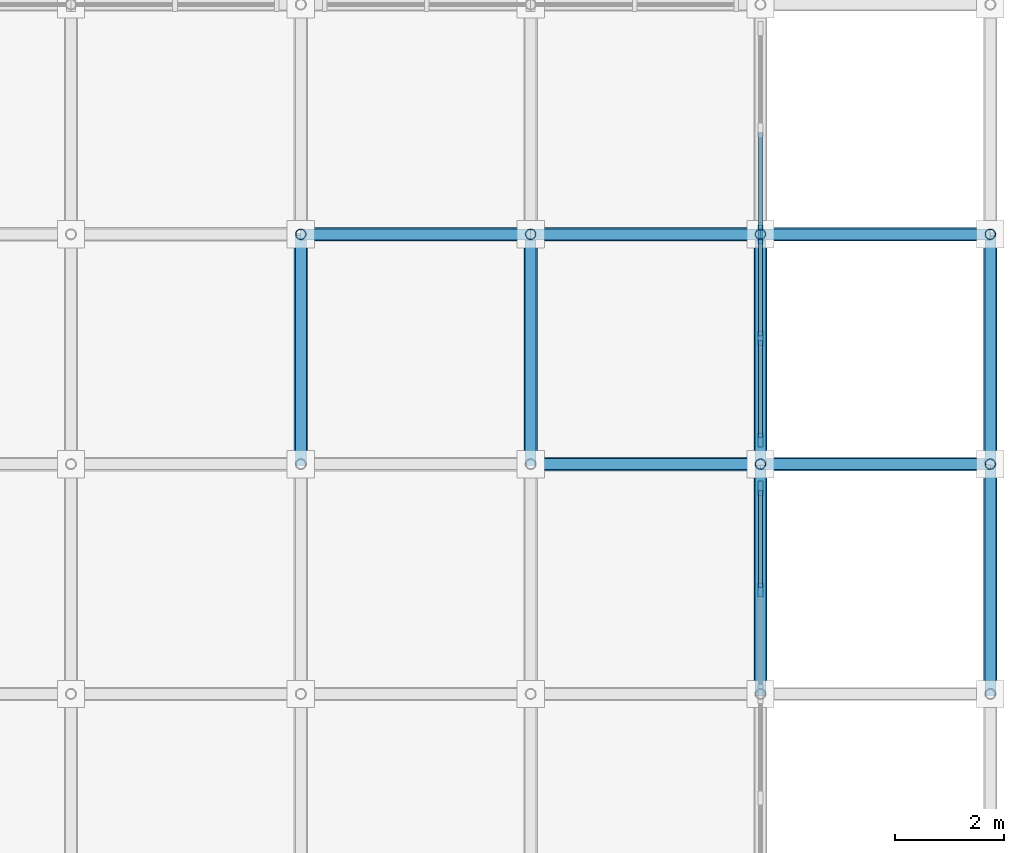
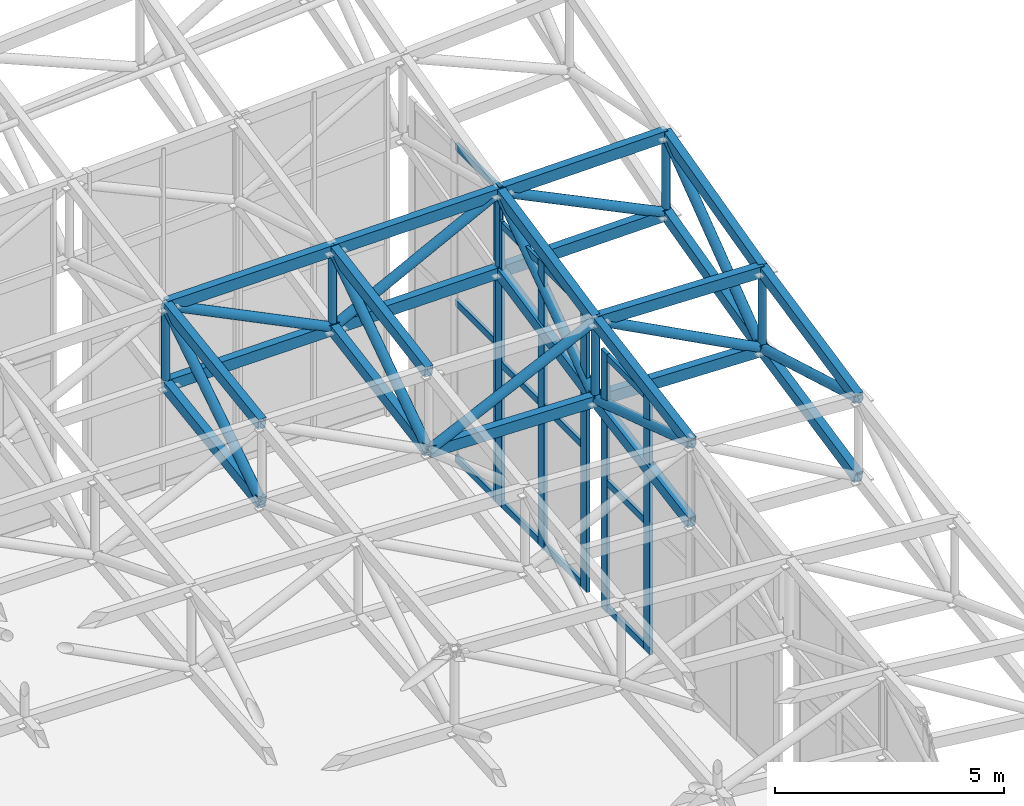
# One storey, part 52 of 123: 56 members, 3 elements without a shape of their own.
"""IFC4 building model written with IfcOpenShell, lengths in metres."""

import ifcopenshell
import ifcopenshell.guid

model = None  # the IFC model being written
_history = None  # IfcOwnerHistory: only IFC2X3 demands one
_inside = {}  # id of a spatial element -> (the spatial element, [elements in it])
_under = {}  # id of a project, library or spatial element -> (it, [spatial elements below it])
_declared = {}  # id of a project -> (the project, [libraries it declares])
_typed = {}  # id of a type object -> (the type object, [elements of that type])
_made_of = {}  # id of a material, layer set ... -> (it, [elements and type objects made of it])


def new_model(schema):
    """Start an empty IFC model of exactly this schema.

    Asked for "IFC4X3", IfcOpenShell would pick the latest addendum, in which some entities
    have other attributes; the version numbers below select the first issue.
    IFC2X3 requires an IfcOwnerHistory on every rooted entity: one is made here for all.
    """
    global model, _history
    if schema == "IFC4X3":
        model = ifcopenshell.file(schema_version=(4, 3, 0, 0))
    else:
        model = ifcopenshell.file(schema=schema)
    _inside.clear()
    _under.clear()
    _declared.clear()
    _typed.clear()
    _made_of.clear()
    _history = None
    if model.schema == "IFC2X3":
        org = make("IfcOrganization", Name="unknown")
        user = make(
            "IfcPersonAndOrganization",
            ThePerson=make("IfcPerson", FamilyName="unknown"),
            TheOrganization=org,
        )
        app = make(
            "IfcApplication",
            ApplicationDeveloper=org,
            Version="unknown",
            ApplicationFullName="unknown",
            ApplicationIdentifier="unknown",
        )
        _history = make(
            "IfcOwnerHistory",
            OwningUser=user,
            OwningApplication=app,
            ChangeAction="ADDED",
            CreationDate=0,
        )
    return model


def make(cls, **values):
    """One entity of the class cls with the attributes given. An attribute that is None is left unset."""
    return model.create_entity(
        cls, **{name: value for name, value in values.items() if value is not None}
    )


def rooted(cls, **values):
    """An entity with a GlobalId (a new one), such as an element, a storey or a relation."""
    return make(cls, GlobalId=ifcopenshell.guid.new(), OwnerHistory=_history, **values)


def si_unit(unit_type, name, prefix=None):
    """IfcSIUnit, for example si_unit("LENGTHUNIT", "METRE", prefix="MILLI")."""
    return make("IfcSIUnit", UnitType=unit_type, Prefix=prefix, Name=name)


def assignment(units):
    """IfcUnitAssignment: the units of a project."""
    return None if units is None else make("IfcUnitAssignment", Units=units)


def point(xyz):
    """IfcCartesianPoint."""
    return None if xyz is None else make("IfcCartesianPoint", Coordinates=xyz)


def direction(xyz):
    """IfcDirection."""
    return None if xyz is None else make("IfcDirection", DirectionRatios=xyz)


def frame(location, z_axis=None, x_axis=None):
    """IfcAxis2Placement3D, a coordinate frame: its origin and axes. An axis left out is left unset."""
    return make(
        "IfcAxis2Placement3D",
        Location=point(location),
        Axis=direction(z_axis),
        RefDirection=direction(x_axis),
    )


def frame_2d(location, x_axis=None):
    """IfcAxis2Placement2D, a coordinate frame in the plane: its origin and x axis."""
    return make(
        "IfcAxis2Placement2D", Location=point(location), RefDirection=direction(x_axis)
    )


def origin():
    """The frame at (0, 0, 0) with its axes left unset."""
    return frame((0.0, 0.0, 0.0))


def origin_2d():
    """The frame at (0, 0) in the plane with its x axis left unset."""
    return frame_2d((0.0, 0.0))


def place(relative_to, where):
    """IfcLocalPlacement: puts the frame where relative to a parent placement (None: the world)."""
    return make(
        "IfcLocalPlacement", PlacementRelTo=relative_to, RelativePlacement=where
    )


def context(
    kind, dimensions, precision=None, world=None, true_north=None, identifier=None
):
    """IfcGeometricRepresentationContext, for example the 3D "Model" context."""
    return make(
        "IfcGeometricRepresentationContext",
        ContextIdentifier=identifier,
        ContextType=kind,
        CoordinateSpaceDimension=dimensions,
        Precision=precision,
        WorldCoordinateSystem=world,
        TrueNorth=true_north,
    )


def subcontext(parent, identifier, kind, view, scale=None):
    """IfcGeometricRepresentationSubContext, for example "Body" below "Model"."""
    return make(
        "IfcGeometricRepresentationSubContext",
        ContextIdentifier=identifier,
        ContextType=kind,
        ParentContext=parent,
        TargetScale=scale,
        TargetView=view,
    )


def project(units=None, contexts=None):
    """IfcProject with its units and contexts."""
    return rooted(
        "IfcProject",
        Name="project",
        RepresentationContexts=contexts,
        UnitsInContext=assignment(units),
    )


def spatial(cls, under=None, at=None, **own):
    """A site, building, storey or space (cls), placed at a placement, below another one or the project."""
    s = rooted(cls, ObjectPlacement=at, **own)
    if under is not None:
        _under.setdefault(under.id(), (under, []))[1].append(s)
    return s


def profile(cls, at=None, kind="AREA", **sizes):
    """A parametric profile (cls). Its sizes go by their IFC names, for example OverallWidth=200.0."""
    return make(cls, ProfileType=kind, Position=at, **sizes)


def rectangle(**sizes):
    """IfcRectangleProfileDef."""
    return profile("IfcRectangleProfileDef", **sizes)


def hollow_rectangle(**sizes):
    """IfcRectangleHollowProfileDef."""
    return profile("IfcRectangleHollowProfileDef", **sizes)


def hollow_circle(**sizes):
    """IfcCircleHollowProfileDef."""
    return profile("IfcCircleHollowProfileDef", **sizes)


def extrude(swept, where, along, depth):
    """IfcExtrudedAreaSolid: the profile swept, set in the frame where, extruded along a direction by depth."""
    return make(
        "IfcExtrudedAreaSolid",
        SweptArea=swept,
        Position=where,
        ExtrudedDirection=direction(along),
        Depth=depth,
    )


def shape(context_of_items, identifier, shape_type, items):
    """IfcShapeRepresentation: the items that make up one representation, for example the "Body"."""
    return make(
        "IfcShapeRepresentation",
        ContextOfItems=context_of_items,
        RepresentationIdentifier=identifier,
        RepresentationType=shape_type,
        Items=items,
    )


def material(Name=None, Category=None):
    """IfcMaterial."""
    return make("IfcMaterial", Name=Name, Category=Category)


def material_profile(
    of_material, cross_section, Name=None, Category=None, Priority=None
):
    """IfcMaterialProfile: a cross section and its material."""
    return make(
        "IfcMaterialProfile",
        Name=Name,
        Material=of_material,
        Profile=cross_section,
        Priority=Priority,
        Category=Category,
    )


def profile_set(profiles, Name=None, composite=None):
    """IfcMaterialProfileSet."""
    return make(
        "IfcMaterialProfileSet",
        Name=Name,
        MaterialProfiles=profiles,
        CompositeProfile=composite,
    )


def made_of(thing, what):
    """Note that an element or type object is made of a material, layer set ...; save() writes the relation."""
    if what is not None:
        _made_of.setdefault(what.id(), (what, []))[1].append(thing)
    return thing


def type_object(cls, material=None, **own):
    """A type object (cls), such as IfcWallType, which elements share."""
    return made_of(rooted(cls, **own), material)


def element(
    cls,
    number,
    at=None,
    inside=None,
    cuts=None,
    type_object=None,
    material=None,
    context=None,
    identifier="Body",
    shape_type=None,
    held_by="IfcProductDefinitionShape",
    body=None,
    shapes=None,
    **own,
):
    """One element of the class cls, such as IfcWall. Its Tag is "e" and its number.

    at: its placement. inside: the storey or other place that contains it. cuts: it is an
    opening in that element (IfcRelVoidsElement). A single representation is given by context,
    identifier, shape_type and body (its items); several are given by shapes. held_by: the class
    of the entity that holds the representations. save() writes the other relations.
    """
    e = rooted(cls, Tag="e%d" % number, ObjectPlacement=at, **own)
    if body is not None:
        shapes = [shape(context, identifier, shape_type, body)]
    if shapes is not None:
        e.Representation = make(held_by, Representations=shapes)
    if inside is not None:
        _inside.setdefault(inside.id(), (inside, []))[1].append(e)
    if cuts is not None:
        rooted(
            "IfcRelVoidsElement", RelatingBuildingElement=cuts, RelatedOpeningElement=e
        )
    if type_object is not None:
        _typed.setdefault(type_object.id(), (type_object, []))[1].append(e)
    return made_of(e, material)


def aggregate(whole, parts):
    """IfcRelAggregates: a whole, such as a stair, and the parts it consists of."""
    return rooted("IfcRelAggregates", RelatingObject=whole, RelatedObjects=parts)


def save(model, path):
    """Write the relations noted so far, then the file.

    IfcRelAggregates (storeys below a building ...), IfcRelContainedInSpatialStructure (elements
    in a storey), IfcRelDefinesByType, IfcRelAssociatesMaterial and IfcRelDeclares: one each for
    every whole, place, type object, material and project.
    """
    for whole, parts in _under.values():
        aggregate(whole, parts)
    for where, things in _inside.values():
        rooted(
            "IfcRelContainedInSpatialStructure",
            RelatedElements=things,
            RelatingStructure=where,
        )
    for kind, things in _typed.values():
        rooted("IfcRelDefinesByType", RelatedObjects=things, RelatingType=kind)
    for what, things in _made_of.values():
        rooted("IfcRelAssociatesMaterial", RelatedObjects=things, RelatingMaterial=what)
    for by, libraries in _declared.values():
        rooted("IfcRelDeclares", RelatingContext=by, RelatedDefinitions=libraries)
    model.write(path)


model = new_model("IFC4")

# Units and contexts
model_context = context("Model", 3, precision=1e-05, world=origin(), true_north=direction((0.0, 1.0)))
body_context = subcontext(model_context, "Body", "Model", "MODEL_VIEW")
ifc_project = project(units=[si_unit("LENGTHUNIT", "METRE"), si_unit("AREAUNIT", "SQUARE_METRE"), si_unit("VOLUMEUNIT", "CUBIC_METRE"), si_unit("PLANEANGLEUNIT", "RADIAN"), si_unit("MASSUNIT", "GRAM", prefix="KILO")], contexts=[model_context])

# Site, building, storey
site_placement = place(None, origin())
site = spatial("IfcSite", under=ifc_project, at=site_placement, CompositionType="ELEMENT")
building_placement = place(site_placement, origin())
building = spatial("IfcBuilding", under=site, at=building_placement, Name="Cumbredor Promenade Congress Hotel", CompositionType="ELEMENT")
storey_placement = place(building_placement, frame((0.0, 0.0, 11.760009765625)))
storey = spatial("IfcBuildingStorey", under=building, at=storey_placement, Name="L03", CompositionType="ELEMENT", Elevation=11.760009765625)

# Members
ifc_material_1 = material(Name="Steel ASTM A500 Grade C", Category="steel")
ifc_material_profile_1 = material_profile(ifc_material_1, hollow_rectangle(XDim=0.199951171875, YDim=0.300048828125, WallThickness=0.012451171875, at=origin_2d()), Name="HSS 300x200x12.5")
ifc_profile_set_1 = profile_set([ifc_material_profile_1], Name="Steel ASTM A500 Grade C")
member_type_1 = type_object("IfcMemberType", Name="Ballroom Roof Space Frame Chord", PredefinedType="CHORD", material=ifc_profile_set_1)
member_1_placement = place(storey_placement, frame((180.60009765625, 58.800048828125, 5.42431640625), z_axis=(0.999711945909, 0.0, -0.024000525121), x_axis=(0.0, 1.0, 0.0)))
element("IfcMember", 1, at=member_1_placement, inside=storey, type_object=member_type_1, Name="Grand Ballroom Pavilion X Bottom Chord 11.15", PredefinedType="CHORD", context=body_context, shape_type="SweptSolid", body=[
    extrude(hollow_rectangle(XDim=0.199951171875, YDim=0.300048828125, WallThickness=0.012451171875, at=origin_2d()), origin(), (0.0, 0.0, 1.0), 4.201171875),
])
for number, where, z_axis, x_axis, name in (
    (2, (184.800048828125, 58.800048828125, 7.423583984375), (0.999592939117, 0.0, -0.028529915312), (0.0, 1.0, 0.0), "Grand Ballroom Pavilion X Top Chord 12.15"),
    (3, (184.800048828125, 58.800048828125, 5.323486328125), (0.999592939117, 0.0, -0.028529915312), (0.0, 1.0, 0.0), "Grand Ballroom Pavilion X Bottom Chord 12.15"),
):
    element("IfcMember", number, at=place(storey_placement, frame(where, z_axis=z_axis, x_axis=x_axis)), inside=storey, type_object=member_type_1, Name=name, PredefinedType="CHORD", context=body_context, shape_type="SweptSolid", body=[
        extrude(hollow_rectangle(XDim=0.199951171875, YDim=0.300048828125, WallThickness=0.012451171875, at=origin_2d()), origin(), (0.0, 0.0, 1.0), 4.20166015625),
    ])
for number, where, z_axis, x_axis, name in (
    (4, (176.39990234375, 63.0, 8.215576171875), (0.999959938567, 0.0, 0.008951048043), (0.0, 1.0, 0.0), "Grand Ballroom Pavilion X Top Chord 10.16"),
    (5, (176.39990234375, 63.0, 6.115478515625), (0.999959938567, 0.0, 0.008951048043), (0.0, 1.0, 0.0), "Grand Ballroom Pavilion X Bottom Chord 10.16"),
):
    element("IfcMember", number, at=place(storey_placement, frame(where, z_axis=z_axis, x_axis=x_axis)), inside=storey, type_object=member_type_1, Name=name, PredefinedType="CHORD", context=body_context, shape_type="SweptSolid", body=[
        extrude(hollow_rectangle(XDim=0.199951171875, YDim=0.300048828125, WallThickness=0.012451171875, at=origin_2d()), origin(), (0.0, 0.0, 1.0), 4.200439453125),
    ])
for number, where, z_axis, x_axis, name in (
    (6, (180.60009765625, 63.0, 8.253173828125), (0.999934438125, 0.0, 0.011450740238), (0.0, 1.0, 0.0), "Grand Ballroom Pavilion X Top Chord 11.16"),
    (7, (180.60009765625, 63.0, 6.153076171875), (0.999934438125, 0.0, 0.011450740238), (0.0, 1.0, 0.0), "Grand Ballroom Pavilion X Bottom Chord 11.16"),
):
    element("IfcMember", number, at=place(storey_placement, frame(where, z_axis=z_axis, x_axis=x_axis)), inside=storey, type_object=member_type_1, Name=name, PredefinedType="CHORD", context=body_context, shape_type="SweptSolid", body=[
        extrude(hollow_rectangle(XDim=0.199951171875, YDim=0.300048828125, WallThickness=0.012451171875, at=origin_2d()), origin(), (0.0, 0.0, 1.0), 4.2001953125),
    ])
for number, where, z_axis, x_axis, name in (
    (8, (184.800048828125, 63.0, 8.30126953125), (0.99988929444, 0.0, 0.014879477962), (0.0, 1.0, 0.0), "Grand Ballroom Pavilion X Top Chord 12.16"),
    (9, (184.800048828125, 63.0, 6.201171875), (0.999888428009, 0.0, 0.014937587979), (0.0, 1.0, 0.0), "Grand Ballroom Pavilion X Bottom Chord 12.16"),
):
    element("IfcMember", number, at=place(storey_placement, frame(where, z_axis=z_axis, x_axis=x_axis)), inside=storey, type_object=member_type_1, Name=name, PredefinedType="CHORD", context=body_context, shape_type="SweptSolid", body=[
        extrude(hollow_rectangle(XDim=0.199951171875, YDim=0.300048828125, WallThickness=0.012451171875, at=origin_2d()), origin(), (0.0, 0.0, 1.0), 4.200439453125),
    ])
for number, where, z_axis, x_axis, name in (
    (10, (176.39990234375, 58.800048828125, 7.602294921875), (0.0, 0.989506441374, 0.144488762468), (-1.0, 0.0, 0.0), "Grand Ballroom Pavilion Y Top Chord 10.15"),
    (11, (176.39990234375, 58.800048828125, 5.502197265625), (0.0, 0.989506441374, 0.144488762468), (-1.0, 0.0, 0.0), "Grand Ballroom Pavilion Y Bottom Chord 10.15"),
):
    element("IfcMember", number, at=place(storey_placement, frame(where, z_axis=z_axis, x_axis=x_axis)), inside=storey, type_object=member_type_1, Name=name, PredefinedType="CHORD", context=body_context, shape_type="SweptSolid", body=[
        extrude(hollow_rectangle(XDim=0.199951171875, YDim=0.300048828125, WallThickness=0.012451171875, at=origin_2d()), origin(), (0.0, 0.0, 1.0), 4.244384765625),
    ])
for number, where, z_axis, x_axis, name in (
    (12, (180.60009765625, 58.800048828125, 7.524169921875), (0.0, 0.985268028825, 0.17101728385), (-1.0, 0.0, 0.0), "Grand Ballroom Pavilion Y Top Chord 11.15"),
    (13, (180.60009765625, 58.800048828125, 5.42431640625), (0.0, 0.985277677735, 0.170961685057), (-1.0, 0.0, 0.0), "Grand Ballroom Pavilion Y Bottom Chord 11.15"),
):
    element("IfcMember", number, at=place(storey_placement, frame(where, z_axis=z_axis, x_axis=x_axis)), inside=storey, type_object=member_type_1, Name=name, PredefinedType="CHORD", context=body_context, shape_type="SweptSolid", body=[
        extrude(hollow_rectangle(XDim=0.199951171875, YDim=0.300048828125, WallThickness=0.012451171875, at=origin_2d()), origin(), (0.0, 0.0, 1.0), 4.2626953125),
    ])
for number, where, z_axis, x_axis, name in (
    (14, (184.800048828125, 54.60009765625, 6.69189453125), (0.0, 0.985161696288, 0.171628762645), (-1.0, 0.0, 0.0), "Grand Ballroom Pavilion Y Top Chord 12.14"),
    (15, (184.800048828125, 54.60009765625, 4.592041015625), (0.0, 0.985171377614, 0.171573181848), (-1.0, 0.0, 0.0), "Grand Ballroom Pavilion Y Bottom Chord 12.14"),
):
    element("IfcMember", number, at=place(storey_placement, frame(where, z_axis=z_axis, x_axis=x_axis)), inside=storey, type_object=member_type_1, Name=name, PredefinedType="CHORD", context=body_context, shape_type="SweptSolid", body=[
        extrude(hollow_rectangle(XDim=0.199951171875, YDim=0.300048828125, WallThickness=0.012451171875, at=origin_2d()), origin(), (0.0, 0.0, 1.0), 4.26318359375),
    ])
for number, where, z_axis, x_axis, name in (
    (16, (184.800048828125, 58.800048828125, 7.423583984375), (0.0, 0.978854788944, 0.204556354488), (-1.0, 0.0, 0.0), "Grand Ballroom Pavilion Y Top Chord 12.15"),
    (17, (184.800048828125, 58.800048828125, 5.323486328125), (0.0, 0.978854788944, 0.204556354488), (-1.0, 0.0, 0.0), "Grand Ballroom Pavilion Y Bottom Chord 12.15"),
):
    element("IfcMember", number, at=place(storey_placement, frame(where, z_axis=z_axis, x_axis=x_axis)), inside=storey, type_object=member_type_1, Name=name, PredefinedType="CHORD", context=body_context, shape_type="SweptSolid", body=[
        extrude(hollow_rectangle(XDim=0.199951171875, YDim=0.300048828125, WallThickness=0.012451171875, at=origin_2d()), origin(), (0.0, 0.0, 1.0), 4.290771484375),
    ])
for number, where, z_axis, x_axis, name in (
    (18, (189.0, 54.60009765625, 6.419677734375), (0.0, 0.978557630203, 0.205973212752), (-1.0, 0.0, 0.0), "Grand Ballroom Pavilion Y Top Chord 13.14"),
    (19, (189.0, 54.60009765625, 4.31982421875), (0.0, 0.978569093962, 0.205918742088), (-1.0, 0.0, 0.0), "Grand Ballroom Pavilion Y Bottom Chord 13.14"),
):
    element("IfcMember", number, at=place(storey_placement, frame(where, z_axis=z_axis, x_axis=x_axis)), inside=storey, type_object=member_type_1, Name=name, PredefinedType="CHORD", context=body_context, shape_type="SweptSolid", body=[
        extrude(hollow_rectangle(XDim=0.199951171875, YDim=0.300048828125, WallThickness=0.012451171875, at=origin_2d()), origin(), (0.0, 0.0, 1.0), 4.2919921875),
    ])
member_2_placement = place(storey_placement, frame((189.0, 58.800048828125, 7.3037109375), z_axis=(0.0, 0.969592990893, 0.24472317424), x_axis=(-1.0, 0.0, 0.0)))
element("IfcMember", 20, at=member_2_placement, inside=storey, type_object=member_type_1, Name="Grand Ballroom Pavilion Y Top Chord 13.15", PredefinedType="CHORD", context=body_context, shape_type="SweptSolid", body=[
    extrude(hollow_rectangle(XDim=0.199951171875, YDim=0.300048828125, WallThickness=0.012451171875, at=origin_2d()), origin(), (0.0, 0.0, 1.0), 4.33154296875),
])
member_3_placement = place(storey_placement, frame((189.0, 58.800048828125, 5.20361328125), z_axis=(0.0, 0.969579615984, 0.24477615952), x_axis=(-1.0, 0.0, 0.0)))
element("IfcMember", 21, at=member_3_placement, inside=storey, type_object=member_type_1, Name="Grand Ballroom Pavilion Y Bottom Chord 13.15", PredefinedType="CHORD", context=body_context, shape_type="SweptSolid", body=[
    extrude(hollow_rectangle(XDim=0.199951171875, YDim=0.300048828125, WallThickness=0.012451171875, at=origin_2d()), origin(), (0.0, 0.0, 1.0), 4.331787109375),
])

# Curtain wall, members
ifc_material_2 = material(Name="Thermally broken anodized aluminium and low-E glass", Category="aluminium")
curtain_wall_type = type_object("IfcCurtainWallType", Name="Stepped Pavilion Clerestory Curtain Wall CW-06", PredefinedType="NOTDEFINED", material=ifc_material_2)
curtain_wall_1_placement = place(storey_placement, origin())
curtain_wall_1 = element("IfcCurtainWall", 22, at=curtain_wall_1_placement, inside=storey, type_object=curtain_wall_type, Name="Grand Ballroom Pavilion E Glazed Clerestory 12", PredefinedType="NOTDEFINED")
ifc_material_3 = material(Name="Thermally broken anodized aluminium", Category="aluminium")
ifc_material_profile_2 = material_profile(ifc_material_3, rectangle(XDim=0.0849609375, YDim=0.260009765625, at=origin_2d()), Name="ALU MULLION CLERESTORY 85x260")
ifc_profile_set_2 = profile_set([ifc_material_profile_2], Name="Thermally broken anodized aluminium")
member_type_2 = type_object("IfcMemberType", Name="Curtain Wall Mullion ML-04", PredefinedType="MULLION", material=ifc_profile_set_2)
member_4_placement = place(storey_placement, frame((184.800048828125, 56.5, -0.01806640625), z_axis=(0.0, 0.0, 1.0), x_axis=(1.0, 0.0, 0.0)))
member_4 = element("IfcMember", 23, at=member_4_placement, type_object=member_type_2, Name="Grand Ballroom Pavilion E Glazed Clerestory 12 Mullion 2", PredefinedType="MULLION", context=body_context, shape_type="SweptSolid", body=[
    extrude(rectangle(XDim=0.0849609375, YDim=0.260009765625, at=origin_2d()), origin(), (0.0, 0.0, 1.0), 6.885986328125),
])
member_5_placement = place(storey_placement, frame((184.800048828125, 58.360107421875, -0.01806640625), z_axis=(0.0, 0.0, 1.0), x_axis=(1.0, 0.0, 0.0)))
member_5 = element("IfcMember", 24, at=member_5_placement, type_object=member_type_2, Name="Grand Ballroom Pavilion E Glazed Clerestory 12 Mullion 3", PredefinedType="MULLION", context=body_context, shape_type="SweptSolid", body=[
    extrude(rectangle(XDim=0.0849609375, YDim=0.260009765625, at=origin_2d()), origin(), (0.0, 0.0, 1.0), 6.885986328125),
])

curtain_wall_2_placement = place(storey_placement, origin())
curtain_wall_2 = element("IfcCurtainWall", 25, at=curtain_wall_2_placement, inside=storey, type_object=curtain_wall_type, Name="Grand Ballroom Pavilion E Glazed Clerestory 13", PredefinedType="NOTDEFINED")
member_6_placement = place(storey_placement, frame((184.800048828125, 59.239990234375, -0.01806640625), z_axis=(0.0, 0.0, 1.0), x_axis=(1.0, 0.0, 0.0)))
member_6 = element("IfcMember", 26, at=member_6_placement, type_object=member_type_2, Name="Grand Ballroom Pavilion E Glazed Clerestory 13 Mullion 1", PredefinedType="MULLION", context=body_context, shape_type="SweptSolid", body=[
    extrude(rectangle(XDim=0.0849609375, YDim=0.260009765625, at=origin_2d()), origin(), (0.0, 0.0, 1.0), 7.61767578125),
])
member_7_placement = place(storey_placement, frame((184.800048828125, 61.10009765625, -0.01806640625), z_axis=(0.0, 0.0, 1.0), x_axis=(1.0, 0.0, 0.0)))
member_7 = element("IfcMember", 27, at=member_7_placement, type_object=member_type_2, Name="Grand Ballroom Pavilion E Glazed Clerestory 13 Mullion 2", PredefinedType="MULLION", context=body_context, shape_type="SweptSolid", body=[
    extrude(rectangle(XDim=0.0849609375, YDim=0.260009765625, at=origin_2d()), origin(), (0.0, 0.0, 1.0), 7.61767578125),
])
member_8_placement = place(storey_placement, frame((184.800048828125, 62.9599609375, -0.01806640625), z_axis=(0.0, 0.0, 1.0), x_axis=(1.0, 0.0, 0.0)))
member_8 = element("IfcMember", 28, at=member_8_placement, type_object=member_type_2, Name="Grand Ballroom Pavilion E Glazed Clerestory 13 Mullion 3", PredefinedType="MULLION", context=body_context, shape_type="SweptSolid", body=[
    extrude(rectangle(XDim=0.0849609375, YDim=0.260009765625, at=origin_2d()), origin(), (0.0, 0.0, 1.0), 7.61767578125),
])

# Curtain wall, member
curtain_wall_3_placement = place(storey_placement, origin())
curtain_wall_3 = element("IfcCurtainWall", 29, at=curtain_wall_3_placement, inside=storey, type_object=curtain_wall_type, Name="Grand Ballroom Pavilion E Glazed Clerestory 14", PredefinedType="NOTDEFINED")
member_9_placement = place(storey_placement, frame((184.800048828125, 63.0400390625, -0.01806640625), z_axis=(0.0, 0.0, 1.0), x_axis=(1.0, 0.0, 0.0)))
member_9 = element("IfcMember", 30, at=member_9_placement, type_object=member_type_2, Name="Grand Ballroom Pavilion E Glazed Clerestory 14 Mullion 1", PredefinedType="MULLION", context=body_context, shape_type="SweptSolid", body=[
    extrude(rectangle(XDim=0.0849609375, YDim=0.260009765625, at=origin_2d()), origin(), (0.0, 0.0, 1.0), 8.495361328125),
])

# Member
ifc_material_profile_3 = material_profile(ifc_material_3, rectangle(XDim=0.080078125, YDim=0.179931640625, at=origin_2d()), Name="ALU TRANSOM 80x180")
ifc_profile_set_3 = profile_set([ifc_material_profile_3], Name="Thermally broken anodized aluminium")
member_type_3 = type_object("IfcMemberType", Name="Curtain Wall Transom TR-03", PredefinedType="USERDEFINED", material=ifc_profile_set_3)
member_10_placement = place(storey_placement, frame((184.800048828125, 56.54248046875, 0.080078125), z_axis=(0.0, 1.0, 0.0), x_axis=(-1.0, 0.0, 0.0)))
member_10 = element("IfcMember", 31, at=member_10_placement, type_object=member_type_3, Name="Grand Ballroom Pavilion E Glazed Clerestory 12 Transom 2.1", ObjectType="TRANSOM", PredefinedType="USERDEFINED", context=body_context, shape_type="SweptSolid", body=[
    extrude(rectangle(XDim=0.080078125, YDim=0.179931640625, at=origin_2d()), origin(), (0.0, 0.0, 1.0), 1.77490234375),
])

member_11_placement = place(storey_placement, frame((184.800048828125, 56.54248046875, 3.429931640625), z_axis=(0.0, 1.0, 0.0), x_axis=(-1.0, 0.0, 0.0)))
member_11 = element("IfcMember", 32, at=member_11_placement, type_object=member_type_3, Name="Grand Ballroom Pavilion E Glazed Clerestory 12 Transom 2.2", ObjectType="TRANSOM", PredefinedType="USERDEFINED", context=body_context, shape_type="SweptSolid", body=[
    extrude(rectangle(XDim=0.080078125, YDim=0.179931640625, at=origin_2d()), origin(), (0.0, 0.0, 1.0), 1.77490234375),
])

member_12_placement = place(storey_placement, frame((184.800048828125, 56.54248046875, 6.77001953125), z_axis=(0.0, 1.0, 0.0), x_axis=(-1.0, 0.0, 0.0)))
member_12 = element("IfcMember", 33, at=member_12_placement, type_object=member_type_3, Name="Grand Ballroom Pavilion E Glazed Clerestory 12 Transom 2.3", ObjectType="TRANSOM", PredefinedType="USERDEFINED", context=body_context, shape_type="SweptSolid", body=[
    extrude(rectangle(XDim=0.080078125, YDim=0.179931640625, at=origin_2d()), origin(), (0.0, 0.0, 1.0), 1.77490234375),
])

aggregate(curtain_wall_1, [member_4, member_5, member_10, member_11, member_12])

member_13_placement = place(storey_placement, frame((184.800048828125, 59.282470703125, 0.080078125), z_axis=(0.0, 1.0, 0.0), x_axis=(-1.0, 0.0, 0.0)))
member_13 = element("IfcMember", 34, at=member_13_placement, type_object=member_type_3, Name="Grand Ballroom Pavilion E Glazed Clerestory 13 Transom 1.1", ObjectType="TRANSOM", PredefinedType="USERDEFINED", context=body_context, shape_type="SweptSolid", body=[
    extrude(rectangle(XDim=0.080078125, YDim=0.179931640625, at=origin_2d()), origin(), (0.0, 0.0, 1.0), 1.775146484375),
])

member_14_placement = place(storey_placement, frame((184.800048828125, 59.282470703125, 3.7900390625), z_axis=(0.0, 1.0, 0.0), x_axis=(-1.0, 0.0, 0.0)))
member_14 = element("IfcMember", 35, at=member_14_placement, type_object=member_type_3, Name="Grand Ballroom Pavilion E Glazed Clerestory 13 Transom 1.2", ObjectType="TRANSOM", PredefinedType="USERDEFINED", context=body_context, shape_type="SweptSolid", body=[
    extrude(rectangle(XDim=0.080078125, YDim=0.179931640625, at=origin_2d()), origin(), (0.0, 0.0, 1.0), 1.775146484375),
])

member_15_placement = place(storey_placement, frame((184.800048828125, 59.282470703125, 7.5), z_axis=(0.0, 1.0, 0.0), x_axis=(-1.0, 0.0, 0.0)))
member_15 = element("IfcMember", 36, at=member_15_placement, type_object=member_type_3, Name="Grand Ballroom Pavilion E Glazed Clerestory 13 Transom 1.3", ObjectType="TRANSOM", PredefinedType="USERDEFINED", context=body_context, shape_type="SweptSolid", body=[
    extrude(rectangle(XDim=0.080078125, YDim=0.179931640625, at=origin_2d()), origin(), (0.0, 0.0, 1.0), 1.775146484375),
])

member_16_placement = place(storey_placement, frame((184.800048828125, 61.142578125, 0.080078125), z_axis=(0.0, 1.0, 0.0), x_axis=(-1.0, 0.0, 0.0)))
member_16 = element("IfcMember", 37, at=member_16_placement, type_object=member_type_3, Name="Grand Ballroom Pavilion E Glazed Clerestory 13 Transom 2.1", ObjectType="TRANSOM", PredefinedType="USERDEFINED", context=body_context, shape_type="SweptSolid", body=[
    extrude(rectangle(XDim=0.080078125, YDim=0.179931640625, at=origin_2d()), origin(), (0.0, 0.0, 1.0), 1.77490234375),
])

member_17_placement = place(storey_placement, frame((184.800048828125, 61.142578125, 3.7900390625), z_axis=(0.0, 1.0, 0.0), x_axis=(-1.0, 0.0, 0.0)))
member_17 = element("IfcMember", 38, at=member_17_placement, type_object=member_type_3, Name="Grand Ballroom Pavilion E Glazed Clerestory 13 Transom 2.2", ObjectType="TRANSOM", PredefinedType="USERDEFINED", context=body_context, shape_type="SweptSolid", body=[
    extrude(rectangle(XDim=0.080078125, YDim=0.179931640625, at=origin_2d()), origin(), (0.0, 0.0, 1.0), 1.77490234375),
])

member_18_placement = place(storey_placement, frame((184.800048828125, 61.142578125, 7.5), z_axis=(0.0, 1.0, 0.0), x_axis=(-1.0, 0.0, 0.0)))
member_18 = element("IfcMember", 39, at=member_18_placement, type_object=member_type_3, Name="Grand Ballroom Pavilion E Glazed Clerestory 13 Transom 2.3", ObjectType="TRANSOM", PredefinedType="USERDEFINED", context=body_context, shape_type="SweptSolid", body=[
    extrude(rectangle(XDim=0.080078125, YDim=0.179931640625, at=origin_2d()), origin(), (0.0, 0.0, 1.0), 1.77490234375),
])

aggregate(curtain_wall_2, [member_6, member_7, member_8, member_13, member_14, member_15, member_16, member_17, member_18])

member_19_placement = place(storey_placement, frame((184.800048828125, 63.08251953125, 0.080078125), z_axis=(0.0, 1.0, 0.0), x_axis=(-1.0, 0.0, 0.0)))
member_19 = element("IfcMember", 40, at=member_19_placement, type_object=member_type_3, Name="Grand Ballroom Pavilion E Glazed Clerestory 14 Transom 1.1", ObjectType="TRANSOM", PredefinedType="USERDEFINED", context=body_context, shape_type="SweptSolid", body=[
    extrude(rectangle(XDim=0.080078125, YDim=0.179931640625, at=origin_2d()), origin(), (0.0, 0.0, 1.0), 1.77490234375),
])

member_20_placement = place(storey_placement, frame((184.800048828125, 63.08251953125, 4.22998046875), z_axis=(0.0, 1.0, 0.0), x_axis=(-1.0, 0.0, 0.0)))
member_20 = element("IfcMember", 41, at=member_20_placement, type_object=member_type_3, Name="Grand Ballroom Pavilion E Glazed Clerestory 14 Transom 1.2", ObjectType="TRANSOM", PredefinedType="USERDEFINED", context=body_context, shape_type="SweptSolid", body=[
    extrude(rectangle(XDim=0.080078125, YDim=0.179931640625, at=origin_2d()), origin(), (0.0, 0.0, 1.0), 1.77490234375),
])

member_21_placement = place(storey_placement, frame((184.800048828125, 63.08251953125, 8.3798828125), z_axis=(0.0, 1.0, 0.0), x_axis=(-1.0, 0.0, 0.0)))
member_21 = element("IfcMember", 42, at=member_21_placement, type_object=member_type_3, Name="Grand Ballroom Pavilion E Glazed Clerestory 14 Transom 1.3", ObjectType="TRANSOM", PredefinedType="USERDEFINED", context=body_context, shape_type="SweptSolid", body=[
    extrude(rectangle(XDim=0.080078125, YDim=0.179931640625, at=origin_2d()), origin(), (0.0, 0.0, 1.0), 1.77490234375),
])

aggregate(curtain_wall_3, [member_9, member_19, member_20, member_21])

# Members
ifc_material_profile_4 = material_profile(ifc_material_1, hollow_circle(Radius=0.122314453125, WallThickness=0.012451171875, at=origin_2d()), Name="CHS 244.5x12.5")
ifc_profile_set_4 = profile_set([ifc_material_profile_4], Name="Steel ASTM A500 Grade C")
member_type_4 = type_object("IfcMemberType", Name="Space Frame Web Diagonal D2", PredefinedType="BRACE", material=ifc_profile_set_4)
member_22_placement = place(storey_placement, frame((180.60009765625, 58.800048828125, 5.42431640625), z_axis=(0.902919690617, 0.0, 0.429809297591), x_axis=(0.0, 1.0, 0.0)))
element("IfcMember", 43, at=member_22_placement, inside=storey, type_object=member_type_4, Name="Grand Ballroom Pavilion X Web Diagonal 11.15", PredefinedType="BRACE", context=body_context, shape_type="SweptSolid", body=[
    extrude(hollow_circle(Radius=0.122314453125, WallThickness=0.012451171875, at=origin_2d()), origin(), (0.0, 0.0, 1.0), 4.651611328125),
])
member_23_placement = place(storey_placement, frame((184.800048828125, 58.800048828125, 7.423583984375), z_axis=(0.884095243613, 0.0, -0.467306751739), x_axis=(0.0, 1.0, 0.0)))
element("IfcMember", 44, at=member_23_placement, inside=storey, type_object=member_type_4, Name="Grand Ballroom Pavilion X Web Diagonal 12.15", PredefinedType="BRACE", context=body_context, shape_type="SweptSolid", body=[
    extrude(hollow_circle(Radius=0.122314453125, WallThickness=0.012451171875, at=origin_2d()), origin(), (0.0, 0.0, 1.0), 4.75048828125),
])
member_24_placement = place(storey_placement, frame((176.39990234375, 63.0, 8.215576171875), z_axis=(0.897618070642, 0.0, -0.440774090955), x_axis=(0.0, 1.0, 0.0)))
element("IfcMember", 45, at=member_24_placement, inside=storey, type_object=member_type_4, Name="Grand Ballroom Pavilion X Web Diagonal 10.16", PredefinedType="BRACE", context=body_context, shape_type="SweptSolid", body=[
    extrude(hollow_circle(Radius=0.122314453125, WallThickness=0.012451171875, at=origin_2d()), origin(), (0.0, 0.0, 1.0), 4.67919921875),
])
member_25_placement = place(storey_placement, frame((180.60009765625, 63.0, 6.153076171875), z_axis=(0.890301351474, 0.0, 0.455371830007), x_axis=(0.0, 1.0, 0.0)))
element("IfcMember", 46, at=member_25_placement, inside=storey, type_object=member_type_4, Name="Grand Ballroom Pavilion X Web Diagonal 11.16", PredefinedType="BRACE", context=body_context, shape_type="SweptSolid", body=[
    extrude(hollow_circle(Radius=0.122314453125, WallThickness=0.012451171875, at=origin_2d()), origin(), (0.0, 0.0, 1.0), 4.717529296875),
])
member_26_placement = place(storey_placement, frame((184.800048828125, 63.0, 8.30126953125), z_axis=(0.8997288535, 0.0, -0.436449298521), x_axis=(0.0, 1.0, 0.0)))
element("IfcMember", 47, at=member_26_placement, inside=storey, type_object=member_type_4, Name="Grand Ballroom Pavilion X Web Diagonal 12.16", PredefinedType="BRACE", context=body_context, shape_type="SweptSolid", body=[
    extrude(hollow_circle(Radius=0.122314453125, WallThickness=0.012451171875, at=origin_2d()), origin(), (0.0, 0.0, 1.0), 4.66796875),
])
member_27_placement = place(storey_placement, frame((176.39990234375, 58.800048828125, 5.502197265625), z_axis=(0.0, 0.839956385906, 0.542653913443), x_axis=(-1.0, 0.0, 0.0)))
element("IfcMember", 48, at=member_27_placement, inside=storey, type_object=member_type_4, Name="Grand Ballroom Pavilion Y Web Diagonal 10.15", PredefinedType="BRACE", context=body_context, shape_type="SweptSolid", body=[
    extrude(hollow_circle(Radius=0.122314453125, WallThickness=0.012451171875, at=origin_2d()), origin(), (0.0, 0.0, 1.0), 5.000244140625),
])
member_28_placement = place(storey_placement, frame((180.60009765625, 58.800048828125, 5.42431640625), z_axis=(0.0, 0.829407749528, 0.558643701318), x_axis=(-1.0, 0.0, 0.0)))
element("IfcMember", 49, at=member_28_placement, inside=storey, type_object=member_type_4, Name="Grand Ballroom Pavilion Y Web Diagonal 11.15", PredefinedType="BRACE", context=body_context, shape_type="SweptSolid", body=[
    extrude(hollow_circle(Radius=0.122314453125, WallThickness=0.012451171875, at=origin_2d()), origin(), (0.0, 0.0, 1.0), 5.063720703125),
])
member_29_placement = place(storey_placement, frame((184.800048828125, 54.60009765625, 6.69189453125), z_axis=(0.0, 0.950805951358, -0.309787092795), x_axis=(-1.0, 0.0, 0.0)))
element("IfcMember", 50, at=member_29_placement, inside=storey, type_object=member_type_4, Name="Grand Ballroom Pavilion Y Web Diagonal 12.14", PredefinedType="BRACE", context=body_context, shape_type="SweptSolid", body=[
    extrude(hollow_circle(Radius=0.122314453125, WallThickness=0.012451171875, at=origin_2d()), origin(), (0.0, 0.0, 1.0), 4.417236328125),
])
member_30_placement = place(storey_placement, frame((184.800048828125, 58.800048828125, 5.323486328125), z_axis=(0.0, 0.81576624853, 0.578381731868), x_axis=(-1.0, 0.0, 0.0)))
element("IfcMember", 51, at=member_30_placement, inside=storey, type_object=member_type_4, Name="Grand Ballroom Pavilion Y Web Diagonal 12.15", PredefinedType="BRACE", context=body_context, shape_type="SweptSolid", body=[
    extrude(hollow_circle(Radius=0.122314453125, WallThickness=0.012451171875, at=origin_2d()), origin(), (0.0, 0.0, 1.0), 5.1484375),
])
member_31_placement = place(storey_placement, frame((189.0, 54.60009765625, 6.419677734375), z_axis=(0.0, 0.960546601891, -0.278119085277), x_axis=(-1.0, 0.0, 0.0)))
element("IfcMember", 52, at=member_31_placement, inside=storey, type_object=member_type_4, Name="Grand Ballroom Pavilion Y Web Diagonal 13.14", PredefinedType="BRACE", context=body_context, shape_type="SweptSolid", body=[
    extrude(hollow_circle(Radius=0.122314453125, WallThickness=0.012451171875, at=origin_2d()), origin(), (0.0, 0.0, 1.0), 4.37255859375),
])
member_32_placement = place(storey_placement, frame((189.0, 58.800048828125, 5.20361328125), z_axis=(0.0, 0.79906819225, 0.601240404609), x_axis=(-1.0, 0.0, 0.0)))
element("IfcMember", 53, at=member_32_placement, inside=storey, type_object=member_type_4, Name="Grand Ballroom Pavilion Y Web Diagonal 13.15", PredefinedType="BRACE", context=body_context, shape_type="SweptSolid", body=[
    extrude(hollow_circle(Radius=0.122314453125, WallThickness=0.012451171875, at=origin_2d()), origin(), (0.0, 0.0, 1.0), 5.256103515625),
])
ifc_material_profile_5 = material_profile(ifc_material_1, hollow_circle(Radius=0.096923828125, WallThickness=0.010009765625, at=origin_2d()), Name="CHS 193.7x10")
ifc_profile_set_5 = profile_set([ifc_material_profile_5], Name="Steel ASTM A500 Grade C")
member_type_5 = type_object("IfcMemberType", Name="Space Frame Web Post P1", PredefinedType="BRACE", material=ifc_profile_set_5)
for number, where, z_axis, x_axis, name in (
    (54, (176.39990234375, 63.0, 6.115478515625), (0.0, 0.0, 1.0), (1.0, 0.0, 0.0), "Grand Ballroom Pavilion Space Frame Web Post 10.16"),
    (55, (180.60009765625, 63.0, 6.153076171875), (0.0, 0.0, 1.0), (1.0, 0.0, 0.0), "Grand Ballroom Pavilion Space Frame Web Post 11.16"),
    (56, (184.800048828125, 58.800048828125, 5.323486328125), (0.0, 0.0, 1.0), (1.0, 0.0, 0.0), "Grand Ballroom Pavilion Space Frame Web Post 12.15"),
    (57, (184.800048828125, 63.0, 6.201171875), (0.0, 0.0, 1.0), (1.0, 0.0, 0.0), "Grand Ballroom Pavilion Space Frame Web Post 12.16"),
    (58, (189.0, 58.800048828125, 5.20361328125), (0.0, 0.0, 1.0), (1.0, 0.0, 0.0), "Grand Ballroom Pavilion Space Frame Web Post 13.15"),
):
    element("IfcMember", number, at=place(storey_placement, frame(where, z_axis=z_axis, x_axis=x_axis)), inside=storey, type_object=member_type_5, Name=name, PredefinedType="BRACE", context=body_context, shape_type="SweptSolid", body=[
        extrude(hollow_circle(Radius=0.096923828125, WallThickness=0.010009765625, at=origin_2d()), origin(), (0.0, 0.0, 1.0), 2.10009765625),
    ])
member_33_placement = place(storey_placement, frame((189.0, 63.0, 6.263916015625), z_axis=(0.0, 0.0, 1.0), x_axis=(1.0, 0.0, 0.0)))
element("IfcMember", 59, at=member_33_placement, inside=storey, type_object=member_type_5, Name="Grand Ballroom Pavilion Space Frame Web Post 13.16", PredefinedType="BRACE", context=body_context, shape_type="SweptSolid", body=[
    extrude(hollow_circle(Radius=0.096923828125, WallThickness=0.010009765625, at=origin_2d()), origin(), (0.0, 0.0, 1.0), 2.099853515625),
])

save(model, "model.ifc")
